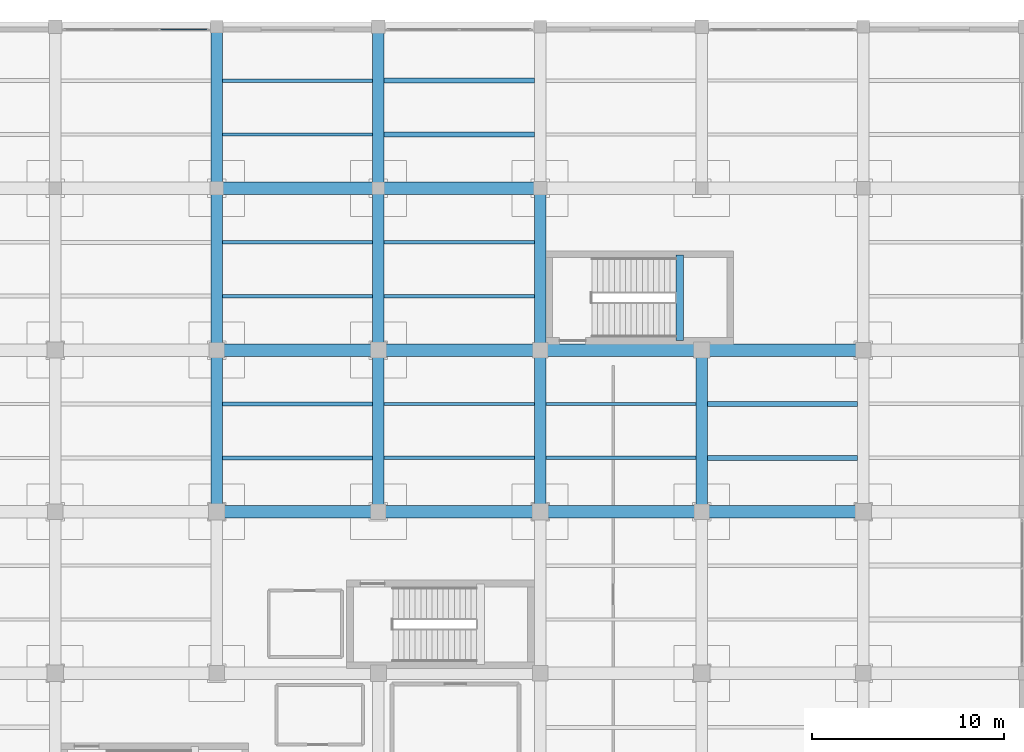
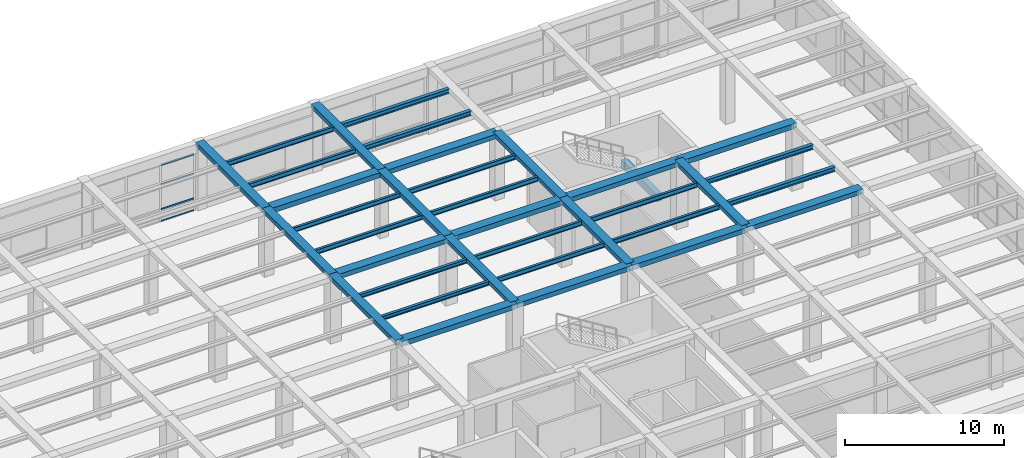
# One storey, part 59 of 95: 36 beams, 4 members, 1 element without a shape of its own.
"""IFC4 building model written with IfcOpenShell, lengths in metres."""

from ifc_helpers import new_model, si_unit, direction, frame, origin, origin_2d, place, context, subcontext, project, spatial, rectangle, hollow_rectangle, i_section, extrude, material, material_profile, profile_set, type_object, element, aggregate, save


model = new_model("IFC4")

# Units and contexts
model_context = context("Model", 3, precision=1e-05, world=origin(), true_north=direction((0.0, 1.0)))
body_context = subcontext(model_context, "Body", "Model", "MODEL_VIEW")
ifc_project = project(units=[si_unit("LENGTHUNIT", "METRE"), si_unit("AREAUNIT", "SQUARE_METRE"), si_unit("VOLUMEUNIT", "CUBIC_METRE"), si_unit("PLANEANGLEUNIT", "RADIAN"), si_unit("MASSUNIT", "GRAM", prefix="KILO")], contexts=[model_context])

# Site, building, storey
site_placement = place(None, origin())
site = spatial("IfcSite", under=ifc_project, at=site_placement, CompositionType="ELEMENT")
building_placement = place(site_placement, origin())
building = spatial("IfcBuilding", under=site, at=building_placement, Name="Almacenes y Pasaje Nevantli", CompositionType="ELEMENT")
storey_placement = place(building_placement, frame((0.0, 0.0, 11.39990234375)))
storey = spatial("IfcBuildingStorey", under=building, at=storey_placement, Name="L03", CompositionType="ELEMENT", Elevation=11.39990234375)

# Beams
ifc_material_1 = material(Name="Concrete C35/45", Category="concrete")
ifc_material_profile_1 = material_profile(ifc_material_1, rectangle(XDim=0.39990234375, YDim=0.60009765625, at=origin_2d()), Name="RC-BM-400x600")
ifc_profile_set_1 = profile_set([ifc_material_profile_1], Name="Concrete C35/45")
beam_type_1 = type_object("IfcBeamType", Name="BM-RC-400x600", PredefinedType="SPANDREL", material=ifc_profile_set_1)
beam_1_placement = place(storey_placement, frame((150.050048828125, 101.300048828125, 2.2001953125), z_axis=(0.0, 1.0, 0.0), x_axis=(-1.0, 0.0, 0.0)))
element("IfcBeam", 1, at=beam_1_placement, inside=storey, type_object=beam_type_1, Name="L03 Stair ST-07 Half-Landing Support Beam", PredefinedType="SPANDREL", context=body_context, shape_type="SweptSolid", body=[
    extrude(rectangle(XDim=0.39990234375, YDim=0.60009765625, at=origin_2d()), origin(), (0.0, 0.0, 1.0), 4.449951171875),
])
ifc_material_2 = material(Name="Concrete C35/45", Category="concrete")
ifc_material_profile_2 = material_profile(ifc_material_2, rectangle(XDim=0.60009765625, YDim=0.320068359375, at=origin_2d()), Name="RC-BM-600x320")
ifc_profile_set_2 = profile_set([ifc_material_profile_2], Name="Concrete C35/45")
beam_type_2 = type_object("IfcBeamType", Name="BM-RC-600x320", PredefinedType="BEAM", material=ifc_profile_set_2)
beam_2_placement = place(storey_placement, frame((126.0, 100.800048828125, 4.940185546875), z_axis=(0.0, 1.0, 0.0), x_axis=(-1.0, 0.0, 0.0)))
element("IfcBeam", 2, at=beam_2_placement, inside=storey, type_object=beam_type_2, Name="L03 North-South Reinforced Concrete Beam #2647", PredefinedType="BEAM", context=body_context, shape_type="SweptSolid", body=[
    extrude(rectangle(XDim=0.60009765625, YDim=0.320068359375, at=origin_2d()), origin(), (0.0, 0.0, 1.0), 8.39990234375),
])
for number, where, z_axis, x_axis, name in (
    (3, (134.39990234375, 92.39990234375, 4.940185546875), (0.0, 1.0, 0.0), (-1.0, 0.0, 0.0), "L03 North-South Reinforced Concrete Beam #2658"),
    (4, (134.39990234375, 109.199951171875, 4.940185546875), (0.0, 1.0, 0.0), (-1.0, 0.0, 0.0), "L03 North-South Reinforced Concrete Beam #2660"),
):
    element("IfcBeam", number, at=place(storey_placement, frame(where, z_axis=z_axis, x_axis=x_axis)), inside=storey, type_object=beam_type_2, Name=name, PredefinedType="BEAM", context=body_context, shape_type="SweptSolid", body=[
        extrude(rectangle(XDim=0.60009765625, YDim=0.320068359375, at=origin_2d()), origin(), (0.0, 0.0, 1.0), 8.400146484375),
    ])
beam_3_placement = place(storey_placement, frame((142.800048828125, 100.800048828125, 4.940185546875), z_axis=(0.0, 1.0, 0.0), x_axis=(-1.0, 0.0, 0.0)))
element("IfcBeam", 5, at=beam_3_placement, inside=storey, type_object=beam_type_2, Name="L03 North-South Reinforced Concrete Beam #2673", PredefinedType="BEAM", context=body_context, shape_type="SweptSolid", body=[
    extrude(rectangle(XDim=0.60009765625, YDim=0.320068359375, at=origin_2d()), origin(), (0.0, 0.0, 1.0), 8.39990234375),
])
beam_4_placement = place(storey_placement, frame((151.199951171875, 92.39990234375, 4.940185546875), z_axis=(0.0, 1.0, 0.0), x_axis=(-1.0, 0.0, 0.0)))
element("IfcBeam", 6, at=beam_4_placement, inside=storey, type_object=beam_type_2, Name="L03 North-South Reinforced Concrete Beam #2686", PredefinedType="BEAM", context=body_context, shape_type="SweptSolid", body=[
    extrude(rectangle(XDim=0.60009765625, YDim=0.320068359375, at=origin_2d()), origin(), (0.0, 0.0, 1.0), 8.400146484375),
])
ifc_material_3 = material(Name="Concrete C35/45", Category="concrete")
ifc_material_profile_3 = material_profile(ifc_material_3, rectangle(XDim=0.60009765625, YDim=0.340087890625, at=origin_2d()), Name="RC-BM-600x340")
ifc_profile_set_3 = profile_set([ifc_material_profile_3], Name="Concrete C35/45")
beam_type_3 = type_object("IfcBeamType", Name="BM-RC-600x340", PredefinedType="BEAM", material=ifc_profile_set_3)
for number, where, z_axis, x_axis, name in (
    (7, (126.0, 92.39990234375, 4.93017578125), (0.0, 1.0, 0.0), (-1.0, 0.0, 0.0), "L03 North-South Reinforced Concrete Beam #2646"),
    (8, (126.0, 109.199951171875, 4.93017578125), (0.0, 1.0, 0.0), (-1.0, 0.0, 0.0), "L03 North-South Reinforced Concrete Beam #2648"),
):
    element("IfcBeam", number, at=place(storey_placement, frame(where, z_axis=z_axis, x_axis=x_axis)), inside=storey, type_object=beam_type_3, Name=name, PredefinedType="BEAM", context=body_context, shape_type="SweptSolid", body=[
        extrude(rectangle(XDim=0.60009765625, YDim=0.340087890625, at=origin_2d()), origin(), (0.0, 0.0, 1.0), 8.400146484375),
    ])
beam_5_placement = place(storey_placement, frame((134.39990234375, 100.800048828125, 4.93017578125), z_axis=(0.0, 1.0, 0.0), x_axis=(-1.0, 0.0, 0.0)))
element("IfcBeam", 9, at=beam_5_placement, inside=storey, type_object=beam_type_3, Name="L03 North-South Reinforced Concrete Beam #2659", PredefinedType="BEAM", context=body_context, shape_type="SweptSolid", body=[
    extrude(rectangle(XDim=0.60009765625, YDim=0.340087890625, at=origin_2d()), origin(), (0.0, 0.0, 1.0), 8.39990234375),
])
beam_6_placement = place(storey_placement, frame((142.800048828125, 92.39990234375, 4.93017578125), z_axis=(0.0, 1.0, 0.0), x_axis=(-1.0, 0.0, 0.0)))
element("IfcBeam", 10, at=beam_6_placement, inside=storey, type_object=beam_type_3, Name="L03 North-South Reinforced Concrete Beam #2672", PredefinedType="BEAM", context=body_context, shape_type="SweptSolid", body=[
    extrude(rectangle(XDim=0.60009765625, YDim=0.340087890625, at=origin_2d()), origin(), (0.0, 0.0, 1.0), 8.400146484375),
])
ifc_material_4 = material(Name="Concrete C35/45", Category="concrete")
ifc_material_profile_4 = material_profile(ifc_material_4, rectangle(XDim=0.64990234375, YDim=0.35009765625, at=origin_2d()), Name="RC-BM-650x350")
ifc_profile_set_4 = profile_set([ifc_material_profile_4], Name="Concrete C35/45")
beam_type_4 = type_object("IfcBeamType", Name="BM-RC-650x350", PredefinedType="BEAM", material=ifc_profile_set_4)
for number, where, z_axis, x_axis, name in (
    (11, (134.39990234375, 92.39990234375, 4.925048828125), (1.0, 0.0, 0.0), (0.0, 1.0, 0.0), "L03 East-West Reinforced Concrete Beam #2422"),
    (12, (151.199951171875, 92.39990234375, 4.925048828125), (1.0, 0.0, 0.0), (0.0, 1.0, 0.0), "L03 East-West Reinforced Concrete Beam #2424"),
):
    element("IfcBeam", number, at=place(storey_placement, frame(where, z_axis=z_axis, x_axis=x_axis)), inside=storey, type_object=beam_type_4, Name=name, PredefinedType="BEAM", context=body_context, shape_type="SweptSolid", body=[
        extrude(rectangle(XDim=0.64990234375, YDim=0.35009765625, at=origin_2d()), origin(), (0.0, 0.0, 1.0), 8.400146484375),
    ])
for number, where, z_axis, x_axis, name in (
    (13, (126.0, 100.800048828125, 4.925048828125), (1.0, 0.0, 0.0), (0.0, 1.0, 0.0), "L03 East-West Reinforced Concrete Beam #2438"),
    (14, (142.800048828125, 100.800048828125, 4.925048828125), (1.0, 0.0, 0.0), (0.0, 1.0, 0.0), "L03 East-West Reinforced Concrete Beam #2440"),
):
    element("IfcBeam", number, at=place(storey_placement, frame(where, z_axis=z_axis, x_axis=x_axis)), inside=storey, type_object=beam_type_4, Name=name, PredefinedType="BEAM", context=body_context, shape_type="SweptSolid", body=[
        extrude(rectangle(XDim=0.64990234375, YDim=0.35009765625, at=origin_2d()), origin(), (0.0, 0.0, 1.0), 8.39990234375),
    ])
beam_7_placement = place(storey_placement, frame((134.39990234375, 109.199951171875, 4.925048828125), z_axis=(1.0, 0.0, 0.0), x_axis=(0.0, 1.0, 0.0)))
element("IfcBeam", 15, at=beam_7_placement, inside=storey, type_object=beam_type_4, Name="L03 East-West Reinforced Concrete Beam #2456", PredefinedType="BEAM", context=body_context, shape_type="SweptSolid", body=[
    extrude(rectangle(XDim=0.64990234375, YDim=0.35009765625, at=origin_2d()), origin(), (0.0, 0.0, 1.0), 8.400146484375),
])
ifc_material_5 = material(Name="Concrete C35/45", Category="concrete")
ifc_material_profile_5 = material_profile(ifc_material_5, rectangle(XDim=0.64990234375, YDim=0.3798828125, at=origin_2d()), Name="RC-BM-650x380")
ifc_profile_set_5 = profile_set([ifc_material_profile_5], Name="Concrete C35/45")
beam_type_5 = type_object("IfcBeamType", Name="BM-RC-650x380", PredefinedType="BEAM", material=ifc_profile_set_5)
for number, where, z_axis, x_axis, name in (
    (16, (126.0, 92.39990234375, 4.91015625), (1.0, 0.0, 0.0), (0.0, 1.0, 0.0), "L03 East-West Reinforced Concrete Beam #2421"),
    (17, (142.800048828125, 92.39990234375, 4.91015625), (1.0, 0.0, 0.0), (0.0, 1.0, 0.0), "L03 East-West Reinforced Concrete Beam #2423"),
):
    element("IfcBeam", number, at=place(storey_placement, frame(where, z_axis=z_axis, x_axis=x_axis)), inside=storey, type_object=beam_type_5, Name=name, PredefinedType="BEAM", context=body_context, shape_type="SweptSolid", body=[
        extrude(rectangle(XDim=0.64990234375, YDim=0.3798828125, at=origin_2d()), origin(), (0.0, 0.0, 1.0), 8.39990234375),
    ])
for number, where, z_axis, x_axis, name in (
    (18, (134.39990234375, 100.800048828125, 4.91015625), (1.0, 0.0, 0.0), (0.0, 1.0, 0.0), "L03 East-West Reinforced Concrete Beam #2439"),
    (19, (151.199951171875, 100.800048828125, 4.91015625), (1.0, 0.0, 0.0), (0.0, 1.0, 0.0), "L03 East-West Reinforced Concrete Beam #2441"),
):
    element("IfcBeam", number, at=place(storey_placement, frame(where, z_axis=z_axis, x_axis=x_axis)), inside=storey, type_object=beam_type_5, Name=name, PredefinedType="BEAM", context=body_context, shape_type="SweptSolid", body=[
        extrude(rectangle(XDim=0.64990234375, YDim=0.3798828125, at=origin_2d()), origin(), (0.0, 0.0, 1.0), 8.400146484375),
    ])
beam_8_placement = place(storey_placement, frame((126.0, 109.199951171875, 4.91015625), z_axis=(1.0, 0.0, 0.0), x_axis=(0.0, 1.0, 0.0)))
element("IfcBeam", 20, at=beam_8_placement, inside=storey, type_object=beam_type_5, Name="L03 East-West Reinforced Concrete Beam #2455", PredefinedType="BEAM", context=body_context, shape_type="SweptSolid", body=[
    extrude(rectangle(XDim=0.64990234375, YDim=0.3798828125, at=origin_2d()), origin(), (0.0, 0.0, 1.0), 8.39990234375),
])
ifc_material_6 = material(Name="Steel ASTM A992", Category="steel")
ifc_material_profile_6 = material_profile(ifc_material_6, i_section(OverallWidth=0.205078125, OverallDepth=0.31005859375, WebThickness=0.009521484375, FlangeThickness=0.016357421875, at=origin_2d()), Name="IR 305x74.4")
ifc_profile_set_6 = profile_set([ifc_material_profile_6], Name="Steel ASTM A992")
beam_type_6 = type_object("IfcBeamType", Name="BM-STL-IR-305x74p4", PredefinedType="JOIST", material=ifc_profile_set_6)
for number, where, z_axis, x_axis, name in (
    (21, (126.300048828125, 95.199951171875, 4.93701171875), (1.0, 0.0, 0.0), (0.0, 1.0, 0.0), "L03 Secondary Steel Floor Joist #909"),
    (22, (126.300048828125, 98.0, 4.93701171875), (1.0, 0.0, 0.0), (0.0, 1.0, 0.0), "L03 Secondary Steel Floor Joist #910"),
):
    element("IfcBeam", number, at=place(storey_placement, frame(where, z_axis=z_axis, x_axis=x_axis)), inside=storey, type_object=beam_type_6, Name=name, PredefinedType="JOIST", context=body_context, shape_type="SweptSolid", body=[
        extrude(i_section(OverallWidth=0.205078125, OverallDepth=0.31005859375, WebThickness=0.009521484375, FlangeThickness=0.016357421875, at=origin_2d()), origin(), (0.0, 0.0, 1.0), 7.800048828125),
    ])
ifc_material_7 = material(Name="Steel ASTM A992", Category="steel")
ifc_material_profile_7 = material_profile(ifc_material_7, i_section(OverallWidth=0.173095703125, OverallDepth=0.35302734375, WebThickness=0.0078125, FlangeThickness=0.01318359375, at=origin_2d()), Name="IR 356x56.6")
ifc_profile_set_7 = profile_set([ifc_material_profile_7], Name="Steel ASTM A992")
beam_type_7 = type_object("IfcBeamType", Name="BM-STL-IR-356x56p6", PredefinedType="JOIST", material=ifc_profile_set_7)
for number, where, z_axis, x_axis, name in (
    (23, (126.300048828125, 103.60009765625, 4.91552734375), (1.0, 0.0, 0.0), (0.0, 1.0, 0.0), "L03 Secondary Steel Floor Joist #911"),
    (24, (126.300048828125, 106.39990234375, 4.91552734375), (1.0, 0.0, 0.0), (0.0, 1.0, 0.0), "L03 Secondary Steel Floor Joist #912"),
    (25, (134.699951171875, 95.199951171875, 4.91552734375), (1.0, 0.0, 0.0), (0.0, 1.0, 0.0), "L03 Secondary Steel Floor Joist #931"),
    (26, (134.699951171875, 98.0, 4.91552734375), (1.0, 0.0, 0.0), (0.0, 1.0, 0.0), "L03 Secondary Steel Floor Joist #932"),
):
    element("IfcBeam", number, at=place(storey_placement, frame(where, z_axis=z_axis, x_axis=x_axis)), inside=storey, type_object=beam_type_7, Name=name, PredefinedType="JOIST", context=body_context, shape_type="SweptSolid", body=[
        extrude(i_section(OverallWidth=0.173095703125, OverallDepth=0.35302734375, WebThickness=0.0078125, FlangeThickness=0.01318359375, at=origin_2d()), origin(), (0.0, 0.0, 1.0), 7.800048828125),
    ])
ifc_material_8 = material(Name="Steel ASTM A992", Category="steel")
ifc_material_profile_8 = material_profile(ifc_material_8, i_section(OverallWidth=0.173095703125, OverallDepth=0.364013671875, WebThickness=0.009033203125, FlangeThickness=0.015625, at=origin_2d()), Name="IR 356x67.0")
ifc_profile_set_8 = profile_set([ifc_material_profile_8], Name="Steel ASTM A992")
beam_type_8 = type_object("IfcBeamType", Name="BM-STL-IR-356x67p0", PredefinedType="JOIST", material=ifc_profile_set_8)
for number, where, z_axis, x_axis, name in (
    (27, (126.300048828125, 112.0, 4.91015625), (1.0, 0.0, 0.0), (0.0, 1.0, 0.0), "L03 Secondary Steel Floor Joist #913"),
    (28, (126.300048828125, 114.800048828125, 4.91015625), (1.0, 0.0, 0.0), (0.0, 1.0, 0.0), "L03 Secondary Steel Floor Joist #914"),
    (29, (134.699951171875, 103.60009765625, 4.91015625), (1.0, 0.0, 0.0), (0.0, 1.0, 0.0), "L03 Secondary Steel Floor Joist #933"),
    (30, (134.699951171875, 106.39990234375, 4.91015625), (1.0, 0.0, 0.0), (0.0, 1.0, 0.0), "L03 Secondary Steel Floor Joist #934"),
):
    element("IfcBeam", number, at=place(storey_placement, frame(where, z_axis=z_axis, x_axis=x_axis)), inside=storey, type_object=beam_type_8, Name=name, PredefinedType="JOIST", context=body_context, shape_type="SweptSolid", body=[
        extrude(i_section(OverallWidth=0.173095703125, OverallDepth=0.364013671875, WebThickness=0.009033203125, FlangeThickness=0.015625, at=origin_2d()), origin(), (0.0, 0.0, 1.0), 7.800048828125),
    ])
for number, where, z_axis, x_axis, name in (
    (31, (143.10009765625, 95.199951171875, 4.91015625), (1.0, 0.0, 0.0), (0.0, 1.0, 0.0), "L03 Secondary Steel Floor Joist #957"),
    (32, (143.10009765625, 98.0, 4.91015625), (1.0, 0.0, 0.0), (0.0, 1.0, 0.0), "L03 Secondary Steel Floor Joist #958"),
):
    element("IfcBeam", number, at=place(storey_placement, frame(where, z_axis=z_axis, x_axis=x_axis)), inside=storey, type_object=beam_type_8, Name=name, PredefinedType="JOIST", context=body_context, shape_type="SweptSolid", body=[
        extrude(i_section(OverallWidth=0.173095703125, OverallDepth=0.364013671875, WebThickness=0.009033203125, FlangeThickness=0.015625, at=origin_2d()), origin(), (0.0, 0.0, 1.0), 7.7998046875),
    ])
ifc_material_9 = material(Name="Steel ASTM A992", Category="steel")
ifc_material_profile_9 = material_profile(ifc_material_9, i_section(OverallWidth=0.25390625, OverallDepth=0.35595703125, WebThickness=0.009521484375, FlangeThickness=0.016357421875, at=origin_2d()), Name="IR 356x79.0")
ifc_profile_set_9 = profile_set([ifc_material_profile_9], Name="Steel ASTM A992")
beam_type_9 = type_object("IfcBeamType", Name="BM-STL-IR-356x79p0", PredefinedType="JOIST", material=ifc_profile_set_9)
for number, where, z_axis, x_axis, name in (
    (33, (134.699951171875, 112.0, 4.9140625), (1.0, 0.0, 0.0), (0.0, 1.0, 0.0), "L03 Secondary Steel Floor Joist #935"),
    (34, (134.699951171875, 114.800048828125, 4.9140625), (1.0, 0.0, 0.0), (0.0, 1.0, 0.0), "L03 Secondary Steel Floor Joist #936"),
    (35, (151.5, 95.199951171875, 4.9140625), (1.0, 0.0, 0.0), (0.0, 1.0, 0.0), "L03 Secondary Steel Floor Joist #983"),
    (36, (151.5, 98.0, 4.9140625), (1.0, 0.0, 0.0), (0.0, 1.0, 0.0), "L03 Secondary Steel Floor Joist #984"),
):
    element("IfcBeam", number, at=place(storey_placement, frame(where, z_axis=z_axis, x_axis=x_axis)), inside=storey, type_object=beam_type_9, Name=name, PredefinedType="JOIST", context=body_context, shape_type="SweptSolid", body=[
        extrude(i_section(OverallWidth=0.25390625, OverallDepth=0.35595703125, WebThickness=0.009521484375, FlangeThickness=0.016357421875, at=origin_2d()), origin(), (0.0, 0.0, 1.0), 7.800048828125),
    ])

# Curtain wall, members
ifc_material_10 = material(Name="Thermally Broken Aluminium and Low-E Glass", Category="aluminium")
curtain_wall_type = type_object("IfcCurtainWallType", Name="CW-STF-BLVD", PredefinedType="USERDEFINED", material=ifc_material_10)
curtain_wall_placement = place(storey_placement, origin())
curtain_wall = element("IfcCurtainWall", 37, at=curtain_wall_placement, inside=storey, type_object=curtain_wall_type, Name="L03 North Boulevard Retail Curtain Wall Bay 15", ObjectType="STOREFRONT GLAZING", PredefinedType="USERDEFINED")
ifc_material_11 = material(Name="Thermally Broken Anodized Aluminium", Category="aluminium")
ifc_material_profile_10 = material_profile(ifc_material_11, hollow_rectangle(XDim=0.06005859375, YDim=0.1201171875, WallThickness=0.00341796875, at=origin_2d()), Name="ALU-TRN-60x120")
ifc_profile_set_10 = profile_set([ifc_material_profile_10], Name="Thermally Broken Anodized Aluminium")
member_type = type_object("IfcMemberType", Name="CW-TRN-130", PredefinedType="USERDEFINED", material=ifc_profile_set_10)
member_1_placement = place(storey_placement, frame((123.080078125, 117.449951171875, 0.030029296875), z_axis=(1.0, 0.0, 0.0), x_axis=(0.0, 1.0, 0.0)))
member_1 = element("IfcMember", 38, at=member_1_placement, type_object=member_type, Name="CW-L03-042 transom 3.1", ObjectType="TRANSOM", PredefinedType="USERDEFINED", context=body_context, shape_type="SweptSolid", body=[
    extrude(hollow_rectangle(XDim=0.06005859375, YDim=0.1201171875, WallThickness=0.00341796875, at=origin_2d()), origin(), (0.0, 0.0, 1.0), 2.409912109375),
])
member_2_placement = place(storey_placement, frame((123.080078125, 117.449951171875, 0.9501953125), z_axis=(1.0, 0.0, 0.0), x_axis=(0.0, 1.0, 0.0)))
member_2 = element("IfcMember", 39, at=member_2_placement, type_object=member_type, Name="CW-L03-042 transom 3.2", ObjectType="TRANSOM", PredefinedType="USERDEFINED", context=body_context, shape_type="SweptSolid", body=[
    extrude(hollow_rectangle(XDim=0.06005859375, YDim=0.1201171875, WallThickness=0.00341796875, at=origin_2d()), origin(), (0.0, 0.0, 1.0), 2.409912109375),
])
member_3_placement = place(storey_placement, frame((123.080078125, 117.449951171875, 2.85009765625), z_axis=(1.0, 0.0, 0.0), x_axis=(0.0, 1.0, 0.0)))
member_3 = element("IfcMember", 40, at=member_3_placement, type_object=member_type, Name="CW-L03-042 transom 3.3", ObjectType="TRANSOM", PredefinedType="USERDEFINED", context=body_context, shape_type="SweptSolid", body=[
    extrude(hollow_rectangle(XDim=0.06005859375, YDim=0.1201171875, WallThickness=0.00341796875, at=origin_2d()), origin(), (0.0, 0.0, 1.0), 2.409912109375),
])
member_4_placement = place(storey_placement, frame((123.080078125, 117.449951171875, 4.35009765625), z_axis=(1.0, 0.0, 0.0), x_axis=(0.0, 1.0, 0.0)))
member_4 = element("IfcMember", 41, at=member_4_placement, type_object=member_type, Name="CW-L03-042 transom 3.4", ObjectType="TRANSOM", PredefinedType="USERDEFINED", context=body_context, shape_type="SweptSolid", body=[
    extrude(hollow_rectangle(XDim=0.06005859375, YDim=0.1201171875, WallThickness=0.00341796875, at=origin_2d()), origin(), (0.0, 0.0, 1.0), 2.409912109375),
])
aggregate(curtain_wall, [member_1, member_2, member_3, member_4])

save(model, "model.ifc")
